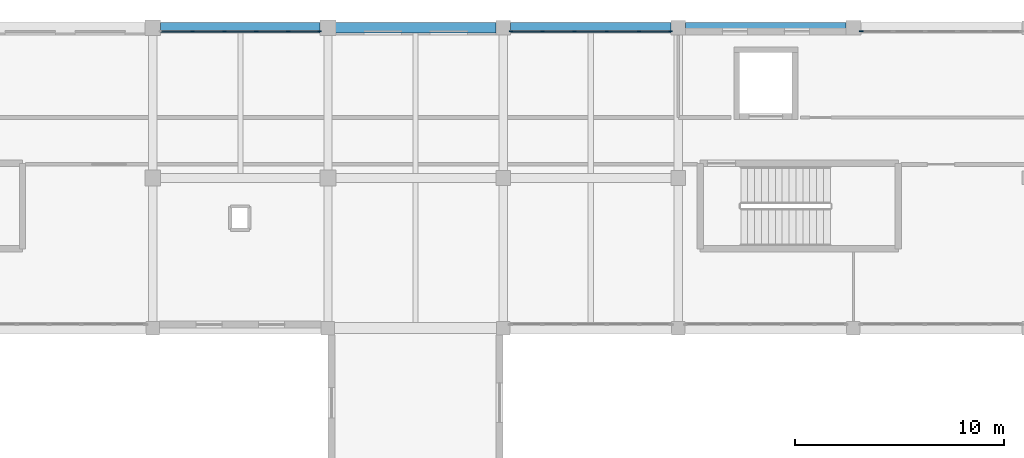
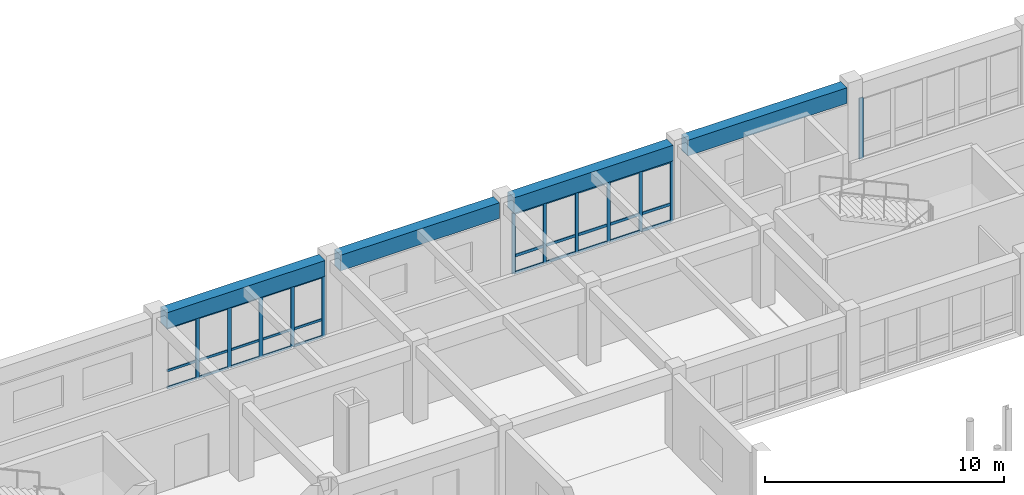
# One storey, part 98 of 147: 42 members, 4 beams, 3 elements without a shape of their own.
"""IFC4 building model written with IfcOpenShell, lengths in metres."""

from ifc_helpers import new_model, si_unit, direction, frame, origin, origin_2d, place, context, subcontext, project, spatial, rectangle, extrude, material, material_profile, profile_set, type_object, element, aggregate, save


model = new_model("IFC4")

# Units and contexts
model_context = context("Model", 3, precision=1e-05, world=origin(), true_north=direction((0.0, 1.0)))
body_context = subcontext(model_context, "Body", "Model", "MODEL_VIEW")
ifc_project = project(units=[si_unit("LENGTHUNIT", "METRE"), si_unit("AREAUNIT", "SQUARE_METRE"), si_unit("VOLUMEUNIT", "CUBIC_METRE"), si_unit("PLANEANGLEUNIT", "RADIAN"), si_unit("MASSUNIT", "GRAM", prefix="KILO")], contexts=[model_context])

# Site, building, storey
site_placement = place(None, origin())
site = spatial("IfcSite", under=ifc_project, at=site_placement, CompositionType="ELEMENT")
building_placement = place(site_placement, origin())
building = spatial("IfcBuilding", under=site, at=building_placement, Name="Malvenik Polytechnic", CompositionType="ELEMENT")
storey_placement = place(building_placement, frame((0.0, 0.0, 5.10009765625)))
storey = spatial("IfcBuildingStorey", under=building, at=storey_placement, Name="L01", CompositionType="ELEMENT", Elevation=5.10009765625)

# Curtain wall, members
ifc_material_1 = material(Name="Anodised aluminium 6060-T6", Category="aluminium")
curtain_wall_type = type_object("IfcCurtainWallType", Name="ARC-CW-CW-02", PredefinedType="NOTDEFINED", material=ifc_material_1)
curtain_wall_1_placement = place(storey_placement, origin())
curtain_wall_1 = element("IfcCurtainWall", 1, at=curtain_wall_1_placement, inside=storey, type_object=curtain_wall_type, Name="Unitised Curtain Wall CW-02 L01 #50", PredefinedType="NOTDEFINED")
ifc_material_2 = material(Name="Anodised aluminium", Category="aluminium")
ifc_material_profile_1 = material_profile(ifc_material_2, rectangle(XDim=0.06005859375, YDim=0.159912109375, at=origin_2d()), Name="ALU MULLION 60x160")
ifc_profile_set_1 = profile_set([ifc_material_profile_1], Name="Anodised aluminium")
member_type_1 = type_object("IfcMemberType", Name="ARC-CWM-160", PredefinedType="MULLION", material=ifc_profile_set_1)
member_1_placement = place(storey_placement, frame((84.3779296875, 129.429931640625, 0.0), z_axis=(0.0, 0.0, 1.0), x_axis=(0.0, 1.0, 0.0)))
member_1 = element("IfcMember", 2, at=member_1_placement, type_object=member_type_1, Name="CW-02 mullion 1", PredefinedType="MULLION", context=body_context, shape_type="SweptSolid", body=[
    extrude(rectangle(XDim=0.06005859375, YDim=0.159912109375, at=origin_2d()), origin(), (0.0, 0.0, 1.0), 3.10986328125),
])
member_2_placement = place(storey_placement, frame((85.888916015625, 129.429931640625, 0.0), z_axis=(0.0, 0.0, 1.0), x_axis=(0.0, 1.0, 0.0)))
member_2 = element("IfcMember", 3, at=member_2_placement, type_object=member_type_1, Name="CW-02 mullion 2", PredefinedType="MULLION", context=body_context, shape_type="SweptSolid", body=[
    extrude(rectangle(XDim=0.06005859375, YDim=0.159912109375, at=origin_2d()), origin(), (0.0, 0.0, 1.0), 3.10986328125),
])
member_3_placement = place(storey_placement, frame((87.4296875, 129.429931640625, 0.0), z_axis=(0.0, 0.0, 1.0), x_axis=(0.0, 1.0, 0.0)))
member_3 = element("IfcMember", 4, at=member_3_placement, type_object=member_type_1, Name="CW-02 mullion 3", PredefinedType="MULLION", context=body_context, shape_type="SweptSolid", body=[
    extrude(rectangle(XDim=0.06005859375, YDim=0.159912109375, at=origin_2d()), origin(), (0.0, 0.0, 1.0), 3.10986328125),
])
member_4_placement = place(storey_placement, frame((88.970458984375, 129.429931640625, 0.0), z_axis=(0.0, 0.0, 1.0), x_axis=(0.0, 1.0, 0.0)))
member_4 = element("IfcMember", 5, at=member_4_placement, type_object=member_type_1, Name="CW-02 mullion 4", PredefinedType="MULLION", context=body_context, shape_type="SweptSolid", body=[
    extrude(rectangle(XDim=0.06005859375, YDim=0.159912109375, at=origin_2d()), origin(), (0.0, 0.0, 1.0), 3.10986328125),
])
member_5_placement = place(storey_placement, frame((90.51123046875, 129.429931640625, 0.0), z_axis=(0.0, 0.0, 1.0), x_axis=(0.0, 1.0, 0.0)))
member_5 = element("IfcMember", 6, at=member_5_placement, type_object=member_type_1, Name="CW-02 mullion 5", PredefinedType="MULLION", context=body_context, shape_type="SweptSolid", body=[
    extrude(rectangle(XDim=0.06005859375, YDim=0.159912109375, at=origin_2d()), origin(), (0.0, 0.0, 1.0), 3.10986328125),
])
member_6_placement = place(storey_placement, frame((92.02197265625, 129.429931640625, 0.0), z_axis=(0.0, 0.0, 1.0), x_axis=(0.0, 1.0, 0.0)))
member_6 = element("IfcMember", 7, at=member_6_placement, type_object=member_type_1, Name="CW-02 mullion 6", PredefinedType="MULLION", context=body_context, shape_type="SweptSolid", body=[
    extrude(rectangle(XDim=0.06005859375, YDim=0.159912109375, at=origin_2d()), origin(), (0.0, 0.0, 1.0), 3.10986328125),
])

curtain_wall_2_placement = place(storey_placement, origin())
curtain_wall_2 = element("IfcCurtainWall", 8, at=curtain_wall_2_placement, inside=storey, type_object=curtain_wall_type, Name="Unitised Curtain Wall CW-02 L01 #49", PredefinedType="NOTDEFINED")
ifc_material_profile_2 = material_profile(ifc_material_2, rectangle(XDim=0.06005859375, YDim=0.179931640625, at=origin_2d()), Name="ALU MULLION 60x180")
ifc_profile_set_2 = profile_set([ifc_material_profile_2], Name="Anodised aluminium")
member_type_2 = type_object("IfcMemberType", Name="ARC-CWM-180", PredefinedType="MULLION", material=ifc_profile_set_2)
member_7_placement = place(storey_placement, frame((69.103759765625, 129.429931640625, 0.0), z_axis=(0.0, 0.0, 1.0), x_axis=(0.0, 1.0, 0.0)))
member_7 = element("IfcMember", 9, at=member_7_placement, type_object=member_type_2, Name="CW-02 mullion 2", PredefinedType="MULLION", context=body_context, shape_type="SweptSolid", body=[
    extrude(rectangle(XDim=0.06005859375, YDim=0.179931640625, at=origin_2d()), origin(), (0.0, 0.0, 1.0), 3.10986328125),
])
member_8_placement = place(storey_placement, frame((70.634521484375, 129.429931640625, 0.0), z_axis=(0.0, 0.0, 1.0), x_axis=(0.0, 1.0, 0.0)))
member_8 = element("IfcMember", 10, at=member_8_placement, type_object=member_type_2, Name="CW-02 mullion 3", PredefinedType="MULLION", context=body_context, shape_type="SweptSolid", body=[
    extrude(rectangle(XDim=0.06005859375, YDim=0.179931640625, at=origin_2d()), origin(), (0.0, 0.0, 1.0), 3.10986328125),
])
member_9_placement = place(storey_placement, frame((72.165283203125, 129.429931640625, 0.0), z_axis=(0.0, 0.0, 1.0), x_axis=(0.0, 1.0, 0.0)))
member_9 = element("IfcMember", 11, at=member_9_placement, type_object=member_type_2, Name="CW-02 mullion 4", PredefinedType="MULLION", context=body_context, shape_type="SweptSolid", body=[
    extrude(rectangle(XDim=0.06005859375, YDim=0.179931640625, at=origin_2d()), origin(), (0.0, 0.0, 1.0), 3.10986328125),
])
member_10_placement = place(storey_placement, frame((73.6962890625, 129.429931640625, 0.0), z_axis=(0.0, 0.0, 1.0), x_axis=(0.0, 1.0, 0.0)))
member_10 = element("IfcMember", 12, at=member_10_placement, type_object=member_type_2, Name="CW-02 mullion 5", PredefinedType="MULLION", context=body_context, shape_type="SweptSolid", body=[
    extrude(rectangle(XDim=0.06005859375, YDim=0.179931640625, at=origin_2d()), origin(), (0.0, 0.0, 1.0), 3.10986328125),
])
member_11_placement = place(storey_placement, frame((75.197021484375, 129.429931640625, 0.0), z_axis=(0.0, 0.0, 1.0), x_axis=(0.0, 1.0, 0.0)))
member_11 = element("IfcMember", 13, at=member_11_placement, type_object=member_type_2, Name="CW-02 mullion 6", PredefinedType="MULLION", context=body_context, shape_type="SweptSolid", body=[
    extrude(rectangle(XDim=0.06005859375, YDim=0.179931640625, at=origin_2d()), origin(), (0.0, 0.0, 1.0), 3.10986328125),
])

# Curtain wall, member
curtain_wall_3_placement = place(storey_placement, origin())
curtain_wall_3 = element("IfcCurtainWall", 14, at=curtain_wall_3_placement, inside=storey, type_object=curtain_wall_type, Name="Unitised Curtain Wall CW-02 L01 #51", PredefinedType="NOTDEFINED")
ifc_material_profile_3 = material_profile(ifc_material_2, rectangle(XDim=0.06005859375, YDim=0.199951171875, at=origin_2d()), Name="ALU MULLION 60x200")
ifc_profile_set_3 = profile_set([ifc_material_profile_3], Name="Anodised aluminium")
member_type_3 = type_object("IfcMemberType", Name="ARC-CWM-200", PredefinedType="MULLION", material=ifc_profile_set_3)
member_12_placement = place(storey_placement, frame((101.177978515625, 129.429931640625, 0.0), z_axis=(0.0, 0.0, 1.0), x_axis=(0.0, 1.0, 0.0)))
member_12 = element("IfcMember", 15, at=member_12_placement, type_object=member_type_3, Name="CW-02 mullion 1", PredefinedType="MULLION", context=body_context, shape_type="SweptSolid", body=[
    extrude(rectangle(XDim=0.06005859375, YDim=0.199951171875, at=origin_2d()), origin(), (0.0, 0.0, 1.0), 3.10986328125),
])
aggregate(curtain_wall_3, [member_12])

# Member
ifc_material_profile_4 = material_profile(ifc_material_2, rectangle(XDim=0.06005859375, YDim=0.1201171875, at=origin_2d()), Name="ALU TRANSOM 60x120")
ifc_profile_set_4 = profile_set([ifc_material_profile_4], Name="Anodised aluminium")
member_type_4 = type_object("IfcMemberType", Name="ARC-CWT-120", PredefinedType="USERDEFINED", material=ifc_profile_set_4)
member_13_placement = place(storey_placement, frame((67.633056640625, 129.429931640625, 0.02978515625), z_axis=(1.0, 0.0, 0.0), x_axis=(0.0, 1.0, 0.0)))
member_13 = element("IfcMember", 16, at=member_13_placement, type_object=member_type_4, Name="CW-02 transom 1.1", ObjectType="TRANSOM", PredefinedType="USERDEFINED", context=body_context, shape_type="SweptSolid", body=[
    extrude(rectangle(XDim=0.06005859375, YDim=0.1201171875, at=origin_2d()), origin(), (0.0, 0.0, 1.0), 1.440673828125),
])

member_14_placement = place(storey_placement, frame((67.633056640625, 129.429931640625, 0.89990234375), z_axis=(1.0, 0.0, 0.0), x_axis=(0.0, 1.0, 0.0)))
member_14 = element("IfcMember", 17, at=member_14_placement, type_object=member_type_4, Name="CW-02 transom 1.2", ObjectType="TRANSOM", PredefinedType="USERDEFINED", context=body_context, shape_type="SweptSolid", body=[
    extrude(rectangle(XDim=0.06005859375, YDim=0.1201171875, at=origin_2d()), origin(), (0.0, 0.0, 1.0), 1.440673828125),
])

member_15_placement = place(storey_placement, frame((67.633056640625, 129.429931640625, 3.079833984375), z_axis=(1.0, 0.0, 0.0), x_axis=(0.0, 1.0, 0.0)))
member_15 = element("IfcMember", 18, at=member_15_placement, type_object=member_type_4, Name="CW-02 transom 1.3", ObjectType="TRANSOM", PredefinedType="USERDEFINED", context=body_context, shape_type="SweptSolid", body=[
    extrude(rectangle(XDim=0.06005859375, YDim=0.1201171875, at=origin_2d()), origin(), (0.0, 0.0, 1.0), 1.440673828125),
])

member_16_placement = place(storey_placement, frame((69.1337890625, 129.429931640625, 0.02978515625), z_axis=(1.0, 0.0, 0.0), x_axis=(0.0, 1.0, 0.0)))
member_16 = element("IfcMember", 19, at=member_16_placement, type_object=member_type_4, Name="CW-02 transom 2.1", ObjectType="TRANSOM", PredefinedType="USERDEFINED", context=body_context, shape_type="SweptSolid", body=[
    extrude(rectangle(XDim=0.06005859375, YDim=0.1201171875, at=origin_2d()), origin(), (0.0, 0.0, 1.0), 1.470703125),
])

member_17_placement = place(storey_placement, frame((69.1337890625, 129.429931640625, 0.89990234375), z_axis=(1.0, 0.0, 0.0), x_axis=(0.0, 1.0, 0.0)))
member_17 = element("IfcMember", 20, at=member_17_placement, type_object=member_type_4, Name="CW-02 transom 2.2", ObjectType="TRANSOM", PredefinedType="USERDEFINED", context=body_context, shape_type="SweptSolid", body=[
    extrude(rectangle(XDim=0.06005859375, YDim=0.1201171875, at=origin_2d()), origin(), (0.0, 0.0, 1.0), 1.470703125),
])

member_18_placement = place(storey_placement, frame((69.1337890625, 129.429931640625, 3.079833984375), z_axis=(1.0, 0.0, 0.0), x_axis=(0.0, 1.0, 0.0)))
member_18 = element("IfcMember", 21, at=member_18_placement, type_object=member_type_4, Name="CW-02 transom 2.3", ObjectType="TRANSOM", PredefinedType="USERDEFINED", context=body_context, shape_type="SweptSolid", body=[
    extrude(rectangle(XDim=0.06005859375, YDim=0.1201171875, at=origin_2d()), origin(), (0.0, 0.0, 1.0), 1.470703125),
])

member_19_placement = place(storey_placement, frame((70.66455078125, 129.429931640625, 0.02978515625), z_axis=(1.0, 0.0, 0.0), x_axis=(0.0, 1.0, 0.0)))
member_19 = element("IfcMember", 22, at=member_19_placement, type_object=member_type_4, Name="CW-02 transom 3.1", ObjectType="TRANSOM", PredefinedType="USERDEFINED", context=body_context, shape_type="SweptSolid", body=[
    extrude(rectangle(XDim=0.06005859375, YDim=0.1201171875, at=origin_2d()), origin(), (0.0, 0.0, 1.0), 1.470947265625),
])

member_20_placement = place(storey_placement, frame((70.66455078125, 129.429931640625, 0.89990234375), z_axis=(1.0, 0.0, 0.0), x_axis=(0.0, 1.0, 0.0)))
member_20 = element("IfcMember", 23, at=member_20_placement, type_object=member_type_4, Name="CW-02 transom 3.2", ObjectType="TRANSOM", PredefinedType="USERDEFINED", context=body_context, shape_type="SweptSolid", body=[
    extrude(rectangle(XDim=0.06005859375, YDim=0.1201171875, at=origin_2d()), origin(), (0.0, 0.0, 1.0), 1.470947265625),
])

member_21_placement = place(storey_placement, frame((70.66455078125, 129.429931640625, 3.079833984375), z_axis=(1.0, 0.0, 0.0), x_axis=(0.0, 1.0, 0.0)))
member_21 = element("IfcMember", 24, at=member_21_placement, type_object=member_type_4, Name="CW-02 transom 3.3", ObjectType="TRANSOM", PredefinedType="USERDEFINED", context=body_context, shape_type="SweptSolid", body=[
    extrude(rectangle(XDim=0.06005859375, YDim=0.1201171875, at=origin_2d()), origin(), (0.0, 0.0, 1.0), 1.470947265625),
])

member_22_placement = place(storey_placement, frame((72.1953125, 129.429931640625, 0.02978515625), z_axis=(1.0, 0.0, 0.0), x_axis=(0.0, 1.0, 0.0)))
member_22 = element("IfcMember", 25, at=member_22_placement, type_object=member_type_4, Name="CW-02 transom 4.1", ObjectType="TRANSOM", PredefinedType="USERDEFINED", context=body_context, shape_type="SweptSolid", body=[
    extrude(rectangle(XDim=0.06005859375, YDim=0.1201171875, at=origin_2d()), origin(), (0.0, 0.0, 1.0), 1.470947265625),
])

member_23_placement = place(storey_placement, frame((72.1953125, 129.429931640625, 0.89990234375), z_axis=(1.0, 0.0, 0.0), x_axis=(0.0, 1.0, 0.0)))
member_23 = element("IfcMember", 26, at=member_23_placement, type_object=member_type_4, Name="CW-02 transom 4.2", ObjectType="TRANSOM", PredefinedType="USERDEFINED", context=body_context, shape_type="SweptSolid", body=[
    extrude(rectangle(XDim=0.06005859375, YDim=0.1201171875, at=origin_2d()), origin(), (0.0, 0.0, 1.0), 1.470947265625),
])

member_24_placement = place(storey_placement, frame((72.1953125, 129.429931640625, 3.079833984375), z_axis=(1.0, 0.0, 0.0), x_axis=(0.0, 1.0, 0.0)))
member_24 = element("IfcMember", 27, at=member_24_placement, type_object=member_type_4, Name="CW-02 transom 4.3", ObjectType="TRANSOM", PredefinedType="USERDEFINED", context=body_context, shape_type="SweptSolid", body=[
    extrude(rectangle(XDim=0.06005859375, YDim=0.1201171875, at=origin_2d()), origin(), (0.0, 0.0, 1.0), 1.470947265625),
])

member_25_placement = place(storey_placement, frame((73.726318359375, 129.429931640625, 0.02978515625), z_axis=(1.0, 0.0, 0.0), x_axis=(0.0, 1.0, 0.0)))
member_25 = element("IfcMember", 28, at=member_25_placement, type_object=member_type_4, Name="CW-02 transom 5.1", ObjectType="TRANSOM", PredefinedType="USERDEFINED", context=body_context, shape_type="SweptSolid", body=[
    extrude(rectangle(XDim=0.06005859375, YDim=0.1201171875, at=origin_2d()), origin(), (0.0, 0.0, 1.0), 1.440673828125),
])

member_26_placement = place(storey_placement, frame((73.726318359375, 129.429931640625, 0.89990234375), z_axis=(1.0, 0.0, 0.0), x_axis=(0.0, 1.0, 0.0)))
member_26 = element("IfcMember", 29, at=member_26_placement, type_object=member_type_4, Name="CW-02 transom 5.2", ObjectType="TRANSOM", PredefinedType="USERDEFINED", context=body_context, shape_type="SweptSolid", body=[
    extrude(rectangle(XDim=0.06005859375, YDim=0.1201171875, at=origin_2d()), origin(), (0.0, 0.0, 1.0), 1.440673828125),
])

member_27_placement = place(storey_placement, frame((73.726318359375, 129.429931640625, 3.079833984375), z_axis=(1.0, 0.0, 0.0), x_axis=(0.0, 1.0, 0.0)))
member_27 = element("IfcMember", 30, at=member_27_placement, type_object=member_type_4, Name="CW-02 transom 5.3", ObjectType="TRANSOM", PredefinedType="USERDEFINED", context=body_context, shape_type="SweptSolid", body=[
    extrude(rectangle(XDim=0.06005859375, YDim=0.1201171875, at=origin_2d()), origin(), (0.0, 0.0, 1.0), 1.440673828125),
])

aggregate(curtain_wall_2, [member_7, member_8, member_9, member_10, member_11, member_13, member_14, member_15, member_16, member_17, member_18, member_19, member_20, member_21, member_22, member_23, member_24, member_25, member_26, member_27])

ifc_material_profile_5 = material_profile(ifc_material_2, rectangle(XDim=0.06005859375, YDim=0.139892578125, at=origin_2d()), Name="ALU TRANSOM 60x140")
ifc_profile_set_5 = profile_set([ifc_material_profile_5], Name="Anodised aluminium")
member_type_5 = type_object("IfcMemberType", Name="ARC-CWT-140", PredefinedType="USERDEFINED", material=ifc_profile_set_5)
member_28_placement = place(storey_placement, frame((84.407958984375, 129.429931640625, 0.02978515625), z_axis=(1.0, 0.0, 0.0), x_axis=(0.0, 1.0, 0.0)))
member_28 = element("IfcMember", 31, at=member_28_placement, type_object=member_type_5, Name="CW-02 transom 1.1", ObjectType="TRANSOM", PredefinedType="USERDEFINED", context=body_context, shape_type="SweptSolid", body=[
    extrude(rectangle(XDim=0.06005859375, YDim=0.139892578125, at=origin_2d()), origin(), (0.0, 0.0, 1.0), 1.450927734375),
])

member_29_placement = place(storey_placement, frame((84.407958984375, 129.429931640625, 0.89990234375), z_axis=(1.0, 0.0, 0.0), x_axis=(0.0, 1.0, 0.0)))
member_29 = element("IfcMember", 32, at=member_29_placement, type_object=member_type_5, Name="CW-02 transom 1.2", ObjectType="TRANSOM", PredefinedType="USERDEFINED", context=body_context, shape_type="SweptSolid", body=[
    extrude(rectangle(XDim=0.06005859375, YDim=0.139892578125, at=origin_2d()), origin(), (0.0, 0.0, 1.0), 1.450927734375),
])

member_30_placement = place(storey_placement, frame((84.407958984375, 129.429931640625, 3.079833984375), z_axis=(1.0, 0.0, 0.0), x_axis=(0.0, 1.0, 0.0)))
member_30 = element("IfcMember", 33, at=member_30_placement, type_object=member_type_5, Name="CW-02 transom 1.3", ObjectType="TRANSOM", PredefinedType="USERDEFINED", context=body_context, shape_type="SweptSolid", body=[
    extrude(rectangle(XDim=0.06005859375, YDim=0.139892578125, at=origin_2d()), origin(), (0.0, 0.0, 1.0), 1.450927734375),
])

member_31_placement = place(storey_placement, frame((85.918701171875, 129.429931640625, 0.02978515625), z_axis=(1.0, 0.0, 0.0), x_axis=(0.0, 1.0, 0.0)))
member_31 = element("IfcMember", 34, at=member_31_placement, type_object=member_type_5, Name="CW-02 transom 2.1", ObjectType="TRANSOM", PredefinedType="USERDEFINED", context=body_context, shape_type="SweptSolid", body=[
    extrude(rectangle(XDim=0.06005859375, YDim=0.139892578125, at=origin_2d()), origin(), (0.0, 0.0, 1.0), 1.48095703125),
])

member_32_placement = place(storey_placement, frame((85.918701171875, 129.429931640625, 0.89990234375), z_axis=(1.0, 0.0, 0.0), x_axis=(0.0, 1.0, 0.0)))
member_32 = element("IfcMember", 35, at=member_32_placement, type_object=member_type_5, Name="CW-02 transom 2.2", ObjectType="TRANSOM", PredefinedType="USERDEFINED", context=body_context, shape_type="SweptSolid", body=[
    extrude(rectangle(XDim=0.06005859375, YDim=0.139892578125, at=origin_2d()), origin(), (0.0, 0.0, 1.0), 1.48095703125),
])

member_33_placement = place(storey_placement, frame((85.918701171875, 129.429931640625, 3.079833984375), z_axis=(1.0, 0.0, 0.0), x_axis=(0.0, 1.0, 0.0)))
member_33 = element("IfcMember", 36, at=member_33_placement, type_object=member_type_5, Name="CW-02 transom 2.3", ObjectType="TRANSOM", PredefinedType="USERDEFINED", context=body_context, shape_type="SweptSolid", body=[
    extrude(rectangle(XDim=0.06005859375, YDim=0.139892578125, at=origin_2d()), origin(), (0.0, 0.0, 1.0), 1.48095703125),
])

member_34_placement = place(storey_placement, frame((87.459716796875, 129.429931640625, 0.02978515625), z_axis=(1.0, 0.0, 0.0), x_axis=(0.0, 1.0, 0.0)))
member_34 = element("IfcMember", 37, at=member_34_placement, type_object=member_type_5, Name="CW-02 transom 3.1", ObjectType="TRANSOM", PredefinedType="USERDEFINED", context=body_context, shape_type="SweptSolid", body=[
    extrude(rectangle(XDim=0.06005859375, YDim=0.139892578125, at=origin_2d()), origin(), (0.0, 0.0, 1.0), 1.480712890625),
])

member_35_placement = place(storey_placement, frame((87.459716796875, 129.429931640625, 0.89990234375), z_axis=(1.0, 0.0, 0.0), x_axis=(0.0, 1.0, 0.0)))
member_35 = element("IfcMember", 38, at=member_35_placement, type_object=member_type_5, Name="CW-02 transom 3.2", ObjectType="TRANSOM", PredefinedType="USERDEFINED", context=body_context, shape_type="SweptSolid", body=[
    extrude(rectangle(XDim=0.06005859375, YDim=0.139892578125, at=origin_2d()), origin(), (0.0, 0.0, 1.0), 1.480712890625),
])

member_36_placement = place(storey_placement, frame((87.459716796875, 129.429931640625, 3.079833984375), z_axis=(1.0, 0.0, 0.0), x_axis=(0.0, 1.0, 0.0)))
member_36 = element("IfcMember", 39, at=member_36_placement, type_object=member_type_5, Name="CW-02 transom 3.3", ObjectType="TRANSOM", PredefinedType="USERDEFINED", context=body_context, shape_type="SweptSolid", body=[
    extrude(rectangle(XDim=0.06005859375, YDim=0.139892578125, at=origin_2d()), origin(), (0.0, 0.0, 1.0), 1.480712890625),
])

member_37_placement = place(storey_placement, frame((89.00048828125, 129.429931640625, 0.02978515625), z_axis=(1.0, 0.0, 0.0), x_axis=(0.0, 1.0, 0.0)))
member_37 = element("IfcMember", 40, at=member_37_placement, type_object=member_type_5, Name="CW-02 transom 4.1", ObjectType="TRANSOM", PredefinedType="USERDEFINED", context=body_context, shape_type="SweptSolid", body=[
    extrude(rectangle(XDim=0.06005859375, YDim=0.139892578125, at=origin_2d()), origin(), (0.0, 0.0, 1.0), 1.480712890625),
])

member_38_placement = place(storey_placement, frame((89.00048828125, 129.429931640625, 0.89990234375), z_axis=(1.0, 0.0, 0.0), x_axis=(0.0, 1.0, 0.0)))
member_38 = element("IfcMember", 41, at=member_38_placement, type_object=member_type_5, Name="CW-02 transom 4.2", ObjectType="TRANSOM", PredefinedType="USERDEFINED", context=body_context, shape_type="SweptSolid", body=[
    extrude(rectangle(XDim=0.06005859375, YDim=0.139892578125, at=origin_2d()), origin(), (0.0, 0.0, 1.0), 1.480712890625),
])

member_39_placement = place(storey_placement, frame((89.00048828125, 129.429931640625, 3.079833984375), z_axis=(1.0, 0.0, 0.0), x_axis=(0.0, 1.0, 0.0)))
member_39 = element("IfcMember", 42, at=member_39_placement, type_object=member_type_5, Name="CW-02 transom 4.3", ObjectType="TRANSOM", PredefinedType="USERDEFINED", context=body_context, shape_type="SweptSolid", body=[
    extrude(rectangle(XDim=0.06005859375, YDim=0.139892578125, at=origin_2d()), origin(), (0.0, 0.0, 1.0), 1.480712890625),
])

member_40_placement = place(storey_placement, frame((90.541259765625, 129.429931640625, 0.02978515625), z_axis=(1.0, 0.0, 0.0), x_axis=(0.0, 1.0, 0.0)))
member_40 = element("IfcMember", 43, at=member_40_placement, type_object=member_type_5, Name="CW-02 transom 5.1", ObjectType="TRANSOM", PredefinedType="USERDEFINED", context=body_context, shape_type="SweptSolid", body=[
    extrude(rectangle(XDim=0.06005859375, YDim=0.139892578125, at=origin_2d()), origin(), (0.0, 0.0, 1.0), 1.45068359375),
])

member_41_placement = place(storey_placement, frame((90.541259765625, 129.429931640625, 0.89990234375), z_axis=(1.0, 0.0, 0.0), x_axis=(0.0, 1.0, 0.0)))
member_41 = element("IfcMember", 44, at=member_41_placement, type_object=member_type_5, Name="CW-02 transom 5.2", ObjectType="TRANSOM", PredefinedType="USERDEFINED", context=body_context, shape_type="SweptSolid", body=[
    extrude(rectangle(XDim=0.06005859375, YDim=0.139892578125, at=origin_2d()), origin(), (0.0, 0.0, 1.0), 1.45068359375),
])

member_42_placement = place(storey_placement, frame((90.541259765625, 129.429931640625, 3.079833984375), z_axis=(1.0, 0.0, 0.0), x_axis=(0.0, 1.0, 0.0)))
member_42 = element("IfcMember", 45, at=member_42_placement, type_object=member_type_5, Name="CW-02 transom 5.3", ObjectType="TRANSOM", PredefinedType="USERDEFINED", context=body_context, shape_type="SweptSolid", body=[
    extrude(rectangle(XDim=0.06005859375, YDim=0.139892578125, at=origin_2d()), origin(), (0.0, 0.0, 1.0), 1.45068359375),
])

aggregate(curtain_wall_1, [member_1, member_2, member_3, member_4, member_5, member_6, member_28, member_29, member_30, member_31, member_32, member_33, member_34, member_35, member_36, member_37, member_38, member_39, member_40, member_41, member_42])

# Beams
ifc_material_3 = material(Name="Precast concrete C40/50", Category="concrete")
ifc_material_profile_6 = material_profile(ifc_material_3, rectangle(XDim=0.52001953125, YDim=0.800048828125, at=origin_2d()), Name="PC SPN 520x800")
ifc_profile_set_6 = profile_set([ifc_material_profile_6], Name="Precast concrete C40/50")
beam_type = type_object("IfcBeamType", Name="STR-BM-SP-01", PredefinedType="SPANDREL", material=ifc_profile_set_6)
beam_1_placement = place(storey_placement, frame((67.572998046875, 129.60009765625, 3.52001953125), z_axis=(1.0, 0.0, 0.0), x_axis=(0.0, 1.0, 0.0)))
element("IfcBeam", 46, at=beam_1_placement, inside=storey, type_object=beam_type, Name="Primary Beam SP-01 L01 #1119", PredefinedType="SPANDREL", context=body_context, shape_type="SweptSolid", body=[
    extrude(rectangle(XDim=0.52001953125, YDim=0.800048828125, at=origin_2d()), origin(), (0.0, 0.0, 1.0), 7.654052734375),
])
beam_2_placement = place(storey_placement, frame((75.972900390625, 129.60009765625, 3.52001953125), z_axis=(1.0, 0.0, 0.0), x_axis=(0.0, 1.0, 0.0)))
element("IfcBeam", 47, at=beam_2_placement, inside=storey, type_object=beam_type, Name="Primary Beam SP-01 L01 #1120", PredefinedType="SPANDREL", context=body_context, shape_type="SweptSolid", body=[
    extrude(rectangle(XDim=0.52001953125, YDim=0.800048828125, at=origin_2d()), origin(), (0.0, 0.0, 1.0), 7.67919921875),
])
beam_3_placement = place(storey_placement, frame((84.347900390625, 129.60009765625, 3.52001953125), z_axis=(1.0, 0.0, 0.0), x_axis=(0.0, 1.0, 0.0)))
element("IfcBeam", 48, at=beam_3_placement, inside=storey, type_object=beam_type, Name="Primary Beam SP-01 L01 #1121", PredefinedType="SPANDREL", context=body_context, shape_type="SweptSolid", body=[
    extrude(rectangle(XDim=0.52001953125, YDim=0.800048828125, at=origin_2d()), origin(), (0.0, 0.0, 1.0), 7.7041015625),
])
beam_4_placement = place(storey_placement, frame((92.748046875, 129.60009765625, 3.52001953125), z_axis=(1.0, 0.0, 0.0), x_axis=(0.0, 1.0, 0.0)))
element("IfcBeam", 49, at=beam_4_placement, inside=storey, type_object=beam_type, Name="Primary Beam SP-01 L01 #1122", PredefinedType="SPANDREL", context=body_context, shape_type="SweptSolid", body=[
    extrude(rectangle(XDim=0.52001953125, YDim=0.800048828125, at=origin_2d()), origin(), (0.0, 0.0, 1.0), 7.703857421875),
])

save(model, "model.ifc")
